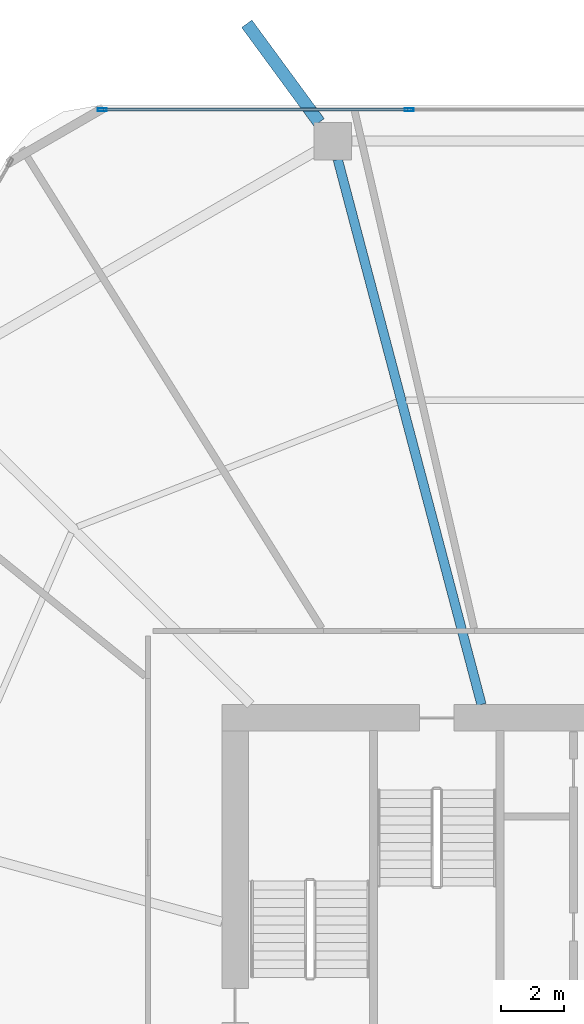
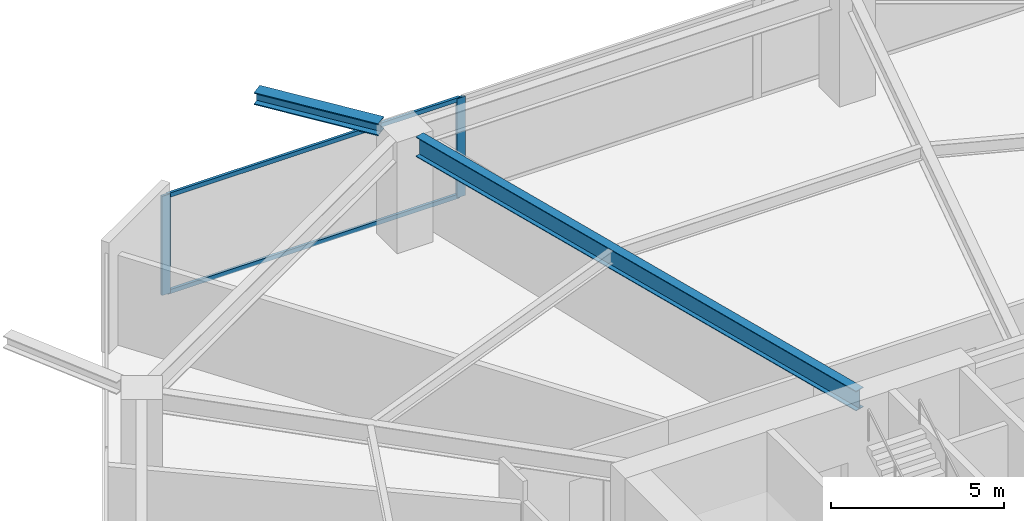
# One storey, part 15 of 25: 4 members, 2 beams, 1 element without a shape of its own.
"""IFC4 building model written with IfcOpenShell, lengths in metres."""

from ifc_helpers import new_model, si_unit, direction, frame, origin, origin_2d, place, context, subcontext, project, spatial, hollow_rectangle, i_section, extrude, material, material_profile, profile_set, type_object, element, aggregate, save


model = new_model("IFC4")

# Units and contexts
model_context = context("Model", 3, precision=1e-05, world=origin(), true_north=direction((0.0, 1.0)))
body_context = subcontext(model_context, "Body", "Model", "MODEL_VIEW")
ifc_project = project(units=[si_unit("LENGTHUNIT", "METRE"), si_unit("AREAUNIT", "SQUARE_METRE"), si_unit("VOLUMEUNIT", "CUBIC_METRE"), si_unit("PLANEANGLEUNIT", "RADIAN"), si_unit("MASSUNIT", "GRAM", prefix="KILO")], contexts=[model_context])

# Site, building, storey
site_placement = place(None, origin())
site = spatial("IfcSite", under=ifc_project, at=site_placement, CompositionType="ELEMENT")
building_placement = place(site_placement, origin())
building = spatial("IfcBuilding", under=site, at=building_placement, Name="Zuhravey Tower", CompositionType="ELEMENT")
storey_placement = place(building_placement, frame((0.0, 0.0, 37.199951171875)))
storey = spatial("IfcBuildingStorey", under=building, at=storey_placement, Name="L09", CompositionType="ELEMENT", Elevation=37.199951171875)

# Curtain wall, members
ifc_material_1 = material(Name="Thermally broken anodised aluminium", Category="aluminium")
curtain_wall_type = type_object("IfcCurtainWallType", Name="School Low-E Unitised Curtain Wall CW1", PredefinedType="NOTDEFINED", material=ifc_material_1)
curtain_wall_placement = place(storey_placement, origin())
curtain_wall = element("IfcCurtainWall", 1, at=curtain_wall_placement, inside=storey, type_object=curtain_wall_type, Name="L09 CW1 CW-L09-F2-1", PredefinedType="NOTDEFINED")
ifc_material_2 = material(Name="Anodised aluminium", Category="aluminium")
ifc_material_profile_1 = material_profile(ifc_material_2, hollow_rectangle(XDim=0.090087890625, YDim=0.284912109375, WallThickness=0.0048828125, at=origin_2d()), Name="ALU-RHS-90x285x5")
ifc_profile_set_1 = profile_set([ifc_material_profile_1], Name="Anodised aluminium")
member_type_1 = type_object("IfcMemberType", Name="Curtain-Wall Mullion 90x180", PredefinedType="MULLION", material=ifc_profile_set_1)
member_1_placement = place(storey_placement, frame((21.24560546875, 60.95849609375, 0.0), z_axis=(0.0, 0.0, 1.0), x_axis=(0.0, 1.0, 0.0)))
member_1 = element("IfcMember", 2, at=member_1_placement, type_object=member_type_1, Name="CW1 mullion 1", PredefinedType="MULLION", context=body_context, shape_type="SweptSolid", body=[
    extrude(hollow_rectangle(XDim=0.090087890625, YDim=0.284912109375, WallThickness=0.0048828125, at=origin_2d()), origin(), (0.0, 0.0, 1.0), 3.491943359375),
])
member_2_placement = place(storey_placement, frame((31.06689453125, 60.95849609375, 0.0), z_axis=(0.0, 0.0, 1.0), x_axis=(0.0, 1.0, 0.0)))
member_2 = element("IfcMember", 3, at=member_2_placement, type_object=member_type_1, Name="CW1 mullion 2", PredefinedType="MULLION", context=body_context, shape_type="SweptSolid", body=[
    extrude(hollow_rectangle(XDim=0.090087890625, YDim=0.284912109375, WallThickness=0.0048828125, at=origin_2d()), origin(), (0.0, 0.0, 1.0), 3.491943359375),
])
ifc_material_profile_2 = material_profile(ifc_material_2, hollow_rectangle(XDim=0.090087890625, YDim=0.14990234375, WallThickness=0.0048828125, at=origin_2d()), Name="ALU-RHS-90x150x5")
ifc_profile_set_2 = profile_set([ifc_material_profile_2], Name="Anodised aluminium")
member_type_2 = type_object("IfcMemberType", Name="Curtain-Wall Transom 90x150", PredefinedType="USERDEFINED", material=ifc_profile_set_2)
member_3_placement = place(storey_placement, frame((21.29052734375, 60.95849609375, 0.045166015625), z_axis=(1.0, 0.0, 0.0), x_axis=(0.0, 1.0, 0.0)))
member_3 = element("IfcMember", 4, at=member_3_placement, type_object=member_type_2, Name="CW1 transom 1.1", ObjectType="TRANSOM", PredefinedType="USERDEFINED", context=body_context, shape_type="SweptSolid", body=[
    extrude(hollow_rectangle(XDim=0.090087890625, YDim=0.14990234375, WallThickness=0.0048828125, at=origin_2d()), origin(), (0.0, 0.0, 1.0), 9.731201171875),
])
member_4_placement = place(storey_placement, frame((21.29052734375, 60.95849609375, 3.447021484375), z_axis=(1.0, 0.0, 0.0), x_axis=(0.0, 1.0, 0.0)))
member_4 = element("IfcMember", 5, at=member_4_placement, type_object=member_type_2, Name="CW1 transom 1.2", ObjectType="TRANSOM", PredefinedType="USERDEFINED", context=body_context, shape_type="SweptSolid", body=[
    extrude(hollow_rectangle(XDim=0.090087890625, YDim=0.14990234375, WallThickness=0.0048828125, at=origin_2d()), origin(), (0.0, 0.0, 1.0), 9.731201171875),
])
aggregate(curtain_wall, [member_1, member_2, member_3, member_4])

# Beams
ifc_material_3 = material(Name="Steel SM460", Category="steel")
ifc_material_profile_3 = material_profile(ifc_material_3, i_section(OverallWidth=0.406982421875, OverallDepth=0.427978515625, WebThickness=0.02001953125, FlangeThickness=0.034912109375, at=origin_2d()), Name="H-428x407x20x35")
ifc_profile_set_3 = profile_set([ifc_material_profile_3], Name="Steel SM460")
beam_type_1 = type_object("IfcBeamType", Name="Exoskeleton Node Tie Beam H428x407", PredefinedType="BEAM", material=ifc_profile_set_3)
beam_1_placement = place(storey_placement, frame((28.187255859375, 60.5517578125, 3.7060546875), z_axis=(-0.591671978423, 0.806178807678, 0.0), x_axis=(-0.806178807678, -0.591671978423, 0.0)))
element("IfcBeam", 6, at=beam_1_placement, inside=storey, type_object=beam_type_1, Name="L09 Exoskeleton Node Tie NT1-04", PredefinedType="BEAM", context=body_context, shape_type="SweptSolid", body=[
    extrude(i_section(OverallWidth=0.406982421875, OverallDepth=0.427978515625, WebThickness=0.02001953125, FlangeThickness=0.034912109375, at=origin_2d()), origin(), (0.0, 0.0, 1.0), 3.912841796875),
])
ifc_material_4 = material(Name="Steel SM355", Category="steel")
ifc_material_profile_4 = material_profile(ifc_material_4, i_section(OverallWidth=0.300048828125, OverallDepth=0.699951171875, WebThickness=0.012939453125, FlangeThickness=0.02392578125, at=origin_2d()), Name="H-700x300x13x24")
ifc_profile_set_4 = profile_set([ifc_material_profile_4], Name="Steel SM355")
beam_type_2 = type_object("IfcBeamType", Name="Radial Primary Girder H700x300", PredefinedType="BEAM", material=ifc_profile_set_4)
beam_2_placement = place(storey_placement, frame((33.382080078125, 41.927978515625, 3.570068359375), z_axis=(-0.254989720435, 0.966943763862, 0.0), x_axis=(-0.966943763862, -0.254989720435, 0.0)))
element("IfcBeam", 7, at=beam_2_placement, inside=storey, type_object=beam_type_2, Name="L09 RG1 BM-L09-RAD-04", PredefinedType="BEAM", context=body_context, shape_type="SweptSolid", body=[
    extrude(i_section(OverallWidth=0.300048828125, OverallDepth=0.699951171875, WebThickness=0.012939453125, FlangeThickness=0.02392578125, at=origin_2d()), origin(), (0.0, 0.0, 1.0), 18.03369140625),
])

save(model, "model.ifc")
